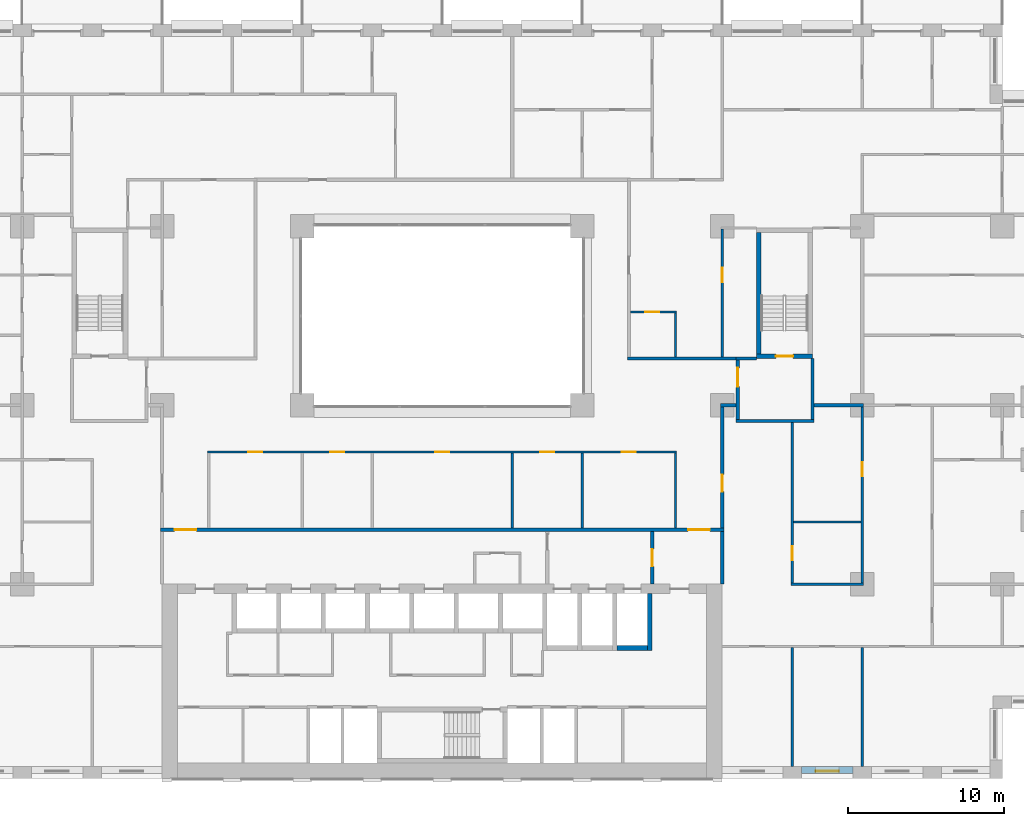
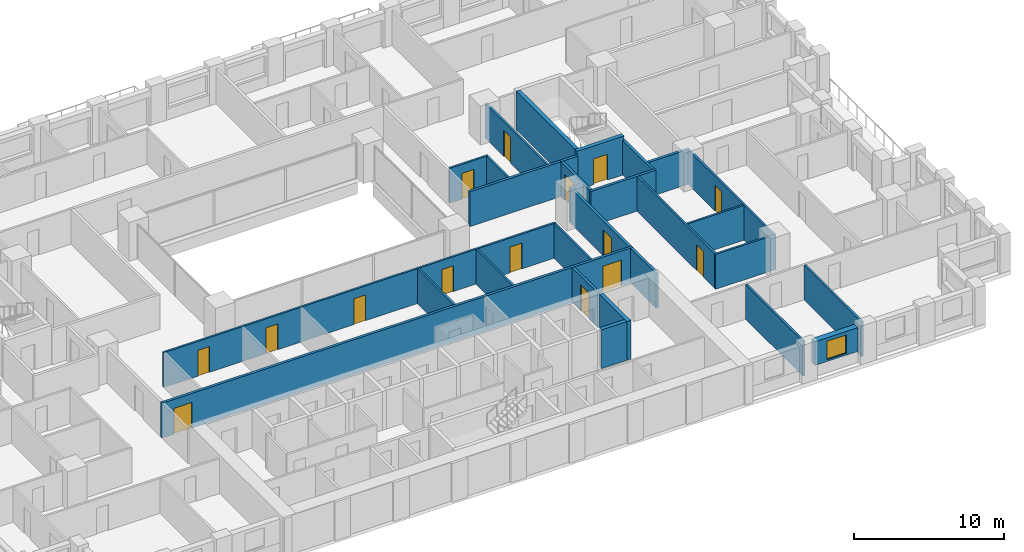
# One storey, part 12 of 20: 29 walls, 15 doors, 1 window, 16 openings.
"""IFC4 building model written with IfcOpenShell, lengths in metres."""

from ifc_helpers import new_model, si_unit, direction, frame, frame_2d, origin, place, context, subcontext, project, spatial, rectangle, extrude, material, layer, layer_set, type_object, element, fill, save


model = new_model("IFC4")

# Units and contexts
model_context = context("Model", 3, precision=1e-05, world=origin(), true_north=direction((0.0, 1.0)))
body_context = subcontext(model_context, "Body", "Model", "MODEL_VIEW")
ifc_project = project(units=[si_unit("LENGTHUNIT", "METRE"), si_unit("AREAUNIT", "SQUARE_METRE"), si_unit("VOLUMEUNIT", "CUBIC_METRE"), si_unit("PLANEANGLEUNIT", "RADIAN"), si_unit("MASSUNIT", "GRAM", prefix="KILO")], contexts=[model_context])

# Site, building, storey
site_placement = place(None, origin())
site = spatial("IfcSite", under=ifc_project, at=site_placement, CompositionType="ELEMENT")
building_placement = place(site_placement, origin())
building = spatial("IfcBuilding", under=site, at=building_placement, Name="Brigalow Station Residences", CompositionType="ELEMENT")
storey_placement = place(building_placement, frame((0.0, 0.0, 38.39990234375)))
storey = spatial("IfcBuildingStorey", under=building, at=storey_placement, Name="L10", CompositionType="ELEMENT", Elevation=38.39990234375)

# Wall, opening, window
ifc_material_1 = material(Name="Clay brick masonry", Category="masonry")
ifc_layer_1 = layer(ifc_material_1, 0.449951171875)
ifc_layer_set_1 = layer_set([ifc_layer_1], Name="BRICK INFILL WALL 450")
wall_type_1 = type_object("IfcWallType", Name="BRICK INFILL WALL 450", PredefinedType="SOLIDWALL", material=ifc_layer_set_1)
wall_1_placement = place(storey_placement, frame((59.10009765625, 0.574951171875, 0.900146484375), z_axis=(0.0, 0.0, 1.0), x_axis=(1.0, 0.0, 0.0)))
wall_1 = element("IfcWall", 1, at=wall_1_placement, inside=storey, type_object=wall_type_1, Name="L10/ewall/W-L10-6", PredefinedType="SOLIDWALL", context=body_context, shape_type="SweptSolid", body=[
    extrude(rectangle(XDim=3.2998046875, YDim=0.449951171875, at=frame_2d((1.64990234375, 0.0))), origin(), (0.0, 0.0, 1.0), 1.929931640625),
])
opening_1_placement = place(wall_1_placement, frame((0.89990234375, 0.0, 0.14990234375)))
opening_1 = element("IfcOpeningElement", 2, at=opening_1_placement, cuts=wall_1, Name="Opening WT-1", PredefinedType="OPENING", context=body_context, shape_type="SweptSolid", body=[
    extrude(rectangle(XDim=1.5, YDim=1.5, at=frame_2d((0.75, 0.75))), frame((0.0, 0.23486328125, 0.0), z_axis=(0.0, -1.0, 0.0), x_axis=(1.0, 0.0, 0.0)), (0.0, 0.0, 1.0), 0.469970703125),
])
ifc_material_2 = material(Name="Anodised aluminium frame with double glazing", Category="aluminium")
window_type = type_object("IfcWindowType", Name="WINDOW 1500x1500", PartitioningType="SINGLE_PANEL", PredefinedType="WINDOW", material=ifc_material_2)
window_placement = place(opening_1_placement, origin())
window = element("IfcWindow", 3, at=window_placement, inside=storey, type_object=window_type, Name="L10/window/W-L10-6", OverallHeight=1.5, OverallWidth=1.5, PartitioningType="SINGLE_PANEL", PredefinedType="WINDOW", context=body_context, shape_type="SweptSolid", body=[
    extrude(rectangle(XDim=1.5, YDim=1.5, at=frame_2d((0.75, 0.75))), frame((0.0, -0.06494140625, 0.0), z_axis=(0.0, -1.0, 0.0), x_axis=(1.0, 0.0, 0.0)), (0.0, 0.0, 1.0), 0.06005859375),
])
fill(opening_1, window)

# Walls
ifc_material_3 = material(Name="Concrete C80", Category="concrete")
ifc_layer_2 = layer(ifc_material_3, 0.300048828125)
ifc_layer_set_2 = layer_set([ifc_layer_2], Name="CORE SHEAR WALL 300 C80")
wall_type_2 = type_object("IfcWallType", Name="CORE SHEAR WALL 300 C80", PredefinedType="SHEAR", material=ifc_layer_set_2)
wall_2_placement = place(storey_placement, frame((47.25, 8.39990234375, 0.0), z_axis=(0.0, 0.0, 1.0), x_axis=(1.0, 0.0, 0.0)))
element("IfcWall", 4, at=wall_2_placement, inside=storey, type_object=wall_type_2, Name="CORE WALL SH-SL1-S L10", PredefinedType="SHEAR", context=body_context, shape_type="SweptSolid", body=[
    extrude(rectangle(XDim=1.949951171875, YDim=0.300048828125, at=frame_2d((0.97509765625, 0.0))), origin(), (0.0, 0.0, 1.0), 3.150146484375),
])
wall_3_placement = place(storey_placement, frame((49.35009765625, 8.25, 0.0), z_axis=(0.0, 0.0, 1.0), x_axis=(0.0, 1.0, 0.0)))
element("IfcWall", 5, at=wall_3_placement, inside=storey, type_object=wall_type_2, Name="CORE WALL SH-SL1-E L10", PredefinedType="SHEAR", context=body_context, shape_type="SweptSolid", body=[
    extrude(rectangle(XDim=3.64990234375, YDim=0.300048828125, at=frame_2d((1.824951171875, 0.0))), origin(), (0.0, 0.0, 1.0), 3.150146484375),
])

# Wall, opening, door
wall_4_placement = place(storey_placement, frame((56.199951171875, 27.14990234375, 0.0), z_axis=(0.0, 0.0, 1.0), x_axis=(1.0, 0.0, 0.0)))
wall_4 = element("IfcWall", 6, at=wall_4_placement, inside=storey, type_object=wall_type_2, Name="CORE WALL ST-S3-S L10", PredefinedType="SHEAR", context=body_context, shape_type="SweptSolid", body=[
    extrude(rectangle(XDim=3.60009765625, YDim=0.300048828125, at=frame_2d((1.800048828125, 0.0))), origin(), (0.0, 0.0, 1.0), 3.150146484375),
])
opening_2_placement = place(wall_4_placement, frame((1.25, 0.0, 0.0)))
opening_2 = element("IfcOpeningElement", 7, at=opening_2_placement, cuts=wall_4, Name="Opening D-5018", PredefinedType="OPENING", context=body_context, shape_type="SweptSolid", body=[
    extrude(rectangle(XDim=1.10009765625, YDim=2.10009765625, at=frame_2d((0.550048828125, 1.050048828125))), frame((0.0, 0.16015625, 0.0), z_axis=(0.0, -1.0, 0.0), x_axis=(1.0, 0.0, 0.0)), (0.0, 0.0, 1.0), 0.320068359375),
])
ifc_material_4 = material(Name="Steel fire door leaf in steel frame", Category="steel")
door_type_1 = type_object("IfcDoorType", Name="STAIR DOOR 1100 x 2100 FD60S", OperationType="SINGLE_SWING_LEFT", PredefinedType="DOOR", material=ifc_material_4)
door_1_placement = place(opening_2_placement, origin())
door_1 = element("IfcDoor", 8, at=door_1_placement, inside=storey, type_object=door_type_1, Name="D-5018", OperationType="SINGLE_SWING_LEFT", OverallHeight=2.10009765625, OverallWidth=1.10009765625, PredefinedType="DOOR", context=body_context, shape_type="SweptSolid", body=[
    extrude(rectangle(XDim=1.10009765625, YDim=2.10009765625, at=frame_2d((0.550048828125, 1.050048828125))), frame((0.0, 0.02490234375, 0.0), z_axis=(0.0, -1.0, 0.0), x_axis=(1.0, 0.0, 0.0)), (0.0, 0.0, 1.0), 0.050048828125),
])
fill(opening_2, door_1)

# Walls
wall_5_placement = place(storey_placement, frame((56.35009765625, 27.300048828125, 0.0), z_axis=(0.0, 0.0, 1.0), x_axis=(0.0, 1.0, 0.0)))
element("IfcWall", 9, at=wall_5_placement, inside=storey, type_object=wall_type_2, Name="CORE WALL ST-S3-W L10", PredefinedType="SHEAR", context=body_context, shape_type="SweptSolid", body=[
    extrude(rectangle(XDim=7.800048828125, YDim=0.300048828125, at=frame_2d((3.89990234375, 0.0))), origin(), (0.0, 0.0, 1.0), 3.150146484375),
])
ifc_material_5 = material(Name="Concrete blockwork", Category="masonry")
ifc_layer_3 = layer(ifc_material_5, 0.199951171875)
ifc_layer_set_3 = layer_set([ifc_layer_3], Name="FIRE RATED CORE PARTITION 200")
wall_type_3 = type_object("IfcWallType", Name="FIRE RATED CORE PARTITION 200", PredefinedType="PARTITIONING", material=ifc_layer_set_3)
wall_6_placement = place(storey_placement, frame((54.89990234375, 23.0, 0.0), z_axis=(0.0, 0.0, 1.0), x_axis=(1.0, 0.0, 0.0)))
element("IfcWall", 10, at=wall_6_placement, inside=storey, type_object=wall_type_3, Name="PW-5024", PredefinedType="PARTITIONING", context=body_context, shape_type="SweptSolid", body=[
    extrude(rectangle(XDim=5.0, YDim=0.199951171875, at=frame_2d((2.5, 0.0))), origin(), (0.0, 0.0, 1.0), 2.830078125),
])
wall_7_placement = place(storey_placement, frame((54.89990234375, 27.0, 0.0), z_axis=(0.0, 0.0, 1.0), x_axis=(1.0, 0.0, 0.0)))
element("IfcWall", 11, at=wall_7_placement, inside=storey, type_object=wall_type_3, Name="PW-5026", PredefinedType="PARTITIONING", context=body_context, shape_type="SweptSolid", body=[
    extrude(rectangle(XDim=1.300048828125, YDim=0.199951171875, at=frame_2d((0.64990234375, 0.0))), origin(), (0.0, 0.0, 1.0), 2.830078125),
])

# Wall, opening, door
wall_8_placement = place(storey_placement, frame((49.5, 12.5, 0.0), z_axis=(0.0, 0.0, 1.0), x_axis=(0.0, 1.0, 0.0)))
wall_8 = element("IfcWall", 12, at=wall_8_placement, inside=storey, type_object=wall_type_3, Name="PW-5015", PredefinedType="PARTITIONING", context=body_context, shape_type="SweptSolid", body=[
    extrude(rectangle(XDim=3.39990234375, YDim=0.199951171875, at=frame_2d((1.699951171875, 0.0))), origin(), (0.0, 0.0, 1.0), 2.830078125),
])
opening_3_placement = place(wall_8_placement, frame((1.14990234375, 0.0, 0.0)))
opening_3 = element("IfcOpeningElement", 13, at=opening_3_placement, cuts=wall_8, Name="Opening D-5014", PredefinedType="OPENING", context=body_context, shape_type="SweptSolid", body=[
    extrude(rectangle(XDim=1.10009765625, YDim=2.10009765625, at=frame_2d((0.550048828125, 1.050048828125))), frame((0.0, 0.10986328125, 0.0), z_axis=(0.0, -1.0, 0.0), x_axis=(1.0, 0.0, 0.0)), (0.0, 0.0, 1.0), 0.219970703125),
])
ifc_material_6 = material(Name="Steel fire door leaf in steel frame", Category="steel")
door_type_2 = type_object("IfcDoorType", Name="LOBBY DOOR 1100 x 2100 FD60S", OperationType="SINGLE_SWING_LEFT", PredefinedType="DOOR", material=ifc_material_6)
door_2_placement = place(opening_3_placement, origin())
door_2 = element("IfcDoor", 14, at=door_2_placement, inside=storey, type_object=door_type_2, Name="D-5014", OperationType="SINGLE_SWING_LEFT", OverallHeight=2.10009765625, OverallWidth=1.10009765625, PredefinedType="DOOR", context=body_context, shape_type="SweptSolid", body=[
    extrude(rectangle(XDim=1.10009765625, YDim=2.10009765625, at=frame_2d((0.550048828125, 1.050048828125))), frame((0.0, 0.02490234375, 0.0), z_axis=(0.0, -1.0, 0.0), x_axis=(1.0, 0.0, 0.0)), (0.0, 0.0, 1.0), 0.050048828125),
])
fill(opening_3, door_2)

# Wall
wall_9_placement = place(storey_placement, frame((54.0, 12.5, 0.0), z_axis=(0.0, 0.0, 1.0), x_axis=(0.0, 1.0, 0.0)))
element("IfcWall", 15, at=wall_9_placement, inside=storey, type_object=wall_type_3, Name="PW-5016", PredefinedType="PARTITIONING", context=body_context, shape_type="SweptSolid", body=[
    extrude(rectangle(XDim=3.39990234375, YDim=0.199951171875, at=frame_2d((1.699951171875, 0.0))), origin(), (0.0, 0.0, 1.0), 2.830078125),
])

# Wall, opening, door
wall_10_placement = place(storey_placement, frame((55.0, 23.10009765625, 0.0), z_axis=(0.0, 0.0, 1.0), x_axis=(0.0, 1.0, 0.0)))
wall_10 = element("IfcWall", 16, at=wall_10_placement, inside=storey, type_object=wall_type_3, Name="PW-5036", PredefinedType="PARTITIONING", context=body_context, shape_type="SweptSolid", body=[
    extrude(rectangle(XDim=3.7998046875, YDim=0.199951171875, at=frame_2d((1.89990234375, 0.0))), origin(), (0.0, 0.0, 1.0), 2.830078125),
])
opening_4_placement = place(wall_10_placement, frame((2.10009765625, 0.0, 0.0)))
opening_4 = element("IfcOpeningElement", 17, at=opening_4_placement, cuts=wall_10, Name="Opening D-5019", PredefinedType="OPENING", context=body_context, shape_type="SweptSolid", body=[
    extrude(rectangle(XDim=1.199951171875, YDim=2.10009765625, at=frame_2d((0.60009765625, 1.050048828125))), frame((0.0, 0.10986328125, 0.0), z_axis=(0.0, -1.0, 0.0), x_axis=(1.0, 0.0, 0.0)), (0.0, 0.0, 1.0), 0.219970703125),
])
ifc_material_7 = material(Name="Steel fire door leaf in steel frame", Category="steel")
door_type_3 = type_object("IfcDoorType", Name="STAIR LOBBY DOOR 1200 x 2100 FD60S", OperationType="SINGLE_SWING_LEFT", PredefinedType="DOOR", material=ifc_material_7)
door_3_placement = place(opening_4_placement, frame((1.199951171875, 0.0, 0.0), z_axis=(0.0, 0.0, 1.0), x_axis=(-1.0, 0.0, 0.0)))
door_3 = element("IfcDoor", 18, at=door_3_placement, inside=storey, type_object=door_type_3, Name="D-5019", OperationType="SINGLE_SWING_LEFT", OverallHeight=2.10009765625, OverallWidth=1.199951171875, PredefinedType="DOOR", context=body_context, shape_type="SweptSolid", body=[
    extrude(rectangle(XDim=1.199951171875, YDim=2.10009765625, at=frame_2d((0.60009765625, 1.050048828125))), frame((0.0, 0.02490234375, 0.0), z_axis=(0.0, -1.0, 0.0), x_axis=(1.0, 0.0, 0.0)), (0.0, 0.0, 1.0), 0.050048828125),
])
fill(opening_4, door_3)

# Wall
wall_11_placement = place(storey_placement, frame((59.800048828125, 23.10009765625, 0.0), z_axis=(0.0, 0.0, 1.0), x_axis=(0.0, 1.0, 0.0)))
element("IfcWall", 19, at=wall_11_placement, inside=storey, type_object=wall_type_3, Name="PW-5037", PredefinedType="PARTITIONING", context=body_context, shape_type="SweptSolid", body=[
    extrude(rectangle(XDim=3.89990234375, YDim=0.199951171875, at=frame_2d((1.949951171875, 0.0))), origin(), (0.0, 0.0, 1.0), 2.830078125),
])

# Wall, openings, doors
ifc_material_8 = material(Name="Plasterboard on steel stud partition", Category="steel")
ifc_layer_4 = layer(ifc_material_8, 0.14990234375)
ifc_layer_set_4 = layer_set([ifc_layer_4], Name="FLAT PARTITION 150")
wall_type_4 = type_object("IfcWallType", Name="FLAT PARTITION 150", PredefinedType="PARTITIONING", material=ifc_layer_set_4)
wall_12_placement = place(storey_placement, frame((20.925048828125, 21.0, 0.0), z_axis=(0.0, 0.0, 1.0), x_axis=(1.0, 0.0, 0.0)))
wall_12 = element("IfcWall", 20, at=wall_12_placement, inside=storey, type_object=wall_type_4, Name="PW-1C01", PredefinedType="PARTITIONING", context=body_context, shape_type="SweptSolid", body=[
    extrude(rectangle(XDim=30.14990234375, YDim=0.14990234375, at=frame_2d((15.074951171875, 0.0))), origin(), (0.0, 0.0, 1.0), 2.830078125),
])
opening_5_placement = place(wall_12_placement, frame((2.625, 0.0, 0.0)))
opening_5 = element("IfcOpeningElement", 21, at=opening_5_placement, cuts=wall_12, Name="Opening D-1C64", PredefinedType="OPENING", context=body_context, shape_type="SweptSolid", body=[
    extrude(rectangle(XDim=0.89990234375, YDim=2.10009765625, at=frame_2d((0.449951171875, 1.050048828125))), frame((0.0, 0.0849609375, 0.0), z_axis=(0.0, -1.0, 0.0), x_axis=(1.0, 0.0, 0.0)), (0.0, 0.0, 1.0), 0.169921875),
])
opening_6_placement = place(wall_12_placement, frame((7.875, 0.0, 0.0)))
opening_6 = element("IfcOpeningElement", 22, at=opening_6_placement, cuts=wall_12, Name="Opening D-1C65", PredefinedType="OPENING", context=body_context, shape_type="SweptSolid", body=[
    extrude(rectangle(XDim=0.89990234375, YDim=2.10009765625, at=frame_2d((0.449951171875, 1.050048828125))), frame((0.0, 0.0849609375, 0.0), z_axis=(0.0, -1.0, 0.0), x_axis=(1.0, 0.0, 0.0)), (0.0, 0.0, 1.0), 0.169921875),
])
opening_7_placement = place(wall_12_placement, frame((14.625, 0.0, 0.0)))
opening_7 = element("IfcOpeningElement", 23, at=opening_7_placement, cuts=wall_12, Name="Opening D-1C66", PredefinedType="OPENING", context=body_context, shape_type="SweptSolid", body=[
    extrude(rectangle(XDim=0.89990234375, YDim=2.10009765625, at=frame_2d((0.449951171875, 1.050048828125))), frame((0.0, 0.0849609375, 0.0), z_axis=(0.0, -1.0, 0.0), x_axis=(1.0, 0.0, 0.0)), (0.0, 0.0, 1.0), 0.169921875),
])
opening_8_placement = place(wall_12_placement, frame((21.375, 0.0, 0.0)))
opening_8 = element("IfcOpeningElement", 24, at=opening_8_placement, cuts=wall_12, Name="Opening D-1C67", PredefinedType="OPENING", context=body_context, shape_type="SweptSolid", body=[
    extrude(rectangle(XDim=0.89990234375, YDim=2.10009765625, at=frame_2d((0.449951171875, 1.050048828125))), frame((0.0, 0.0849609375, 0.0), z_axis=(0.0, -1.0, 0.0), x_axis=(1.0, 0.0, 0.0)), (0.0, 0.0, 1.0), 0.169921875),
])
opening_9_placement = place(wall_12_placement, frame((26.625, 0.0, 0.0)))
opening_9 = element("IfcOpeningElement", 25, at=opening_9_placement, cuts=wall_12, Name="Opening D-1C68", PredefinedType="OPENING", context=body_context, shape_type="SweptSolid", body=[
    extrude(rectangle(XDim=0.89990234375, YDim=2.10009765625, at=frame_2d((0.449951171875, 1.050048828125))), frame((0.0, 0.0849609375, 0.0), z_axis=(0.0, -1.0, 0.0), x_axis=(1.0, 0.0, 0.0)), (0.0, 0.0, 1.0), 0.169921875),
])
ifc_material_9 = material(Name="Solid-core timber door leaf", Category="wood")
door_type_4 = type_object("IfcDoorType", Name="INTERNAL DOOR 900 x 2100", OperationType="SINGLE_SWING_LEFT", PredefinedType="DOOR", material=ifc_material_9)
door_4_placement = place(opening_5_placement, frame((0.89990234375, 0.0, 0.0), z_axis=(0.0, 0.0, 1.0), x_axis=(-1.0, 0.0, 0.0)))
door_4 = element("IfcDoor", 26, at=door_4_placement, inside=storey, type_object=door_type_4, Name="D-1C64", OperationType="SINGLE_SWING_LEFT", OverallHeight=2.10009765625, OverallWidth=0.89990234375, PredefinedType="DOOR", context=body_context, shape_type="SweptSolid", body=[
    extrude(rectangle(XDim=0.89990234375, YDim=2.10009765625, at=frame_2d((0.449951171875, 1.050048828125))), frame((0.0, 0.02490234375, 0.0), z_axis=(0.0, -1.0, 0.0), x_axis=(1.0, 0.0, 0.0)), (0.0, 0.0, 1.0), 0.050048828125),
])
fill(opening_5, door_4)
door_5_placement = place(opening_6_placement, frame((0.89990234375, 0.0, 0.0), z_axis=(0.0, 0.0, 1.0), x_axis=(-1.0, 0.0, 0.0)))
door_5 = element("IfcDoor", 27, at=door_5_placement, inside=storey, type_object=door_type_4, Name="D-1C65", OperationType="SINGLE_SWING_RIGHT", OverallHeight=2.10009765625, OverallWidth=0.89990234375, PredefinedType="DOOR", context=body_context, shape_type="SweptSolid", body=[
    extrude(rectangle(XDim=0.89990234375, YDim=2.10009765625, at=frame_2d((0.449951171875, 1.050048828125))), frame((0.0, 0.02490234375, 0.0), z_axis=(0.0, -1.0, 0.0), x_axis=(1.0, 0.0, 0.0)), (0.0, 0.0, 1.0), 0.050048828125),
])
fill(opening_6, door_5)
door_6_placement = place(opening_7_placement, frame((0.89990234375, 0.0, 0.0), z_axis=(0.0, 0.0, 1.0), x_axis=(-1.0, 0.0, 0.0)))
door_6 = element("IfcDoor", 28, at=door_6_placement, inside=storey, type_object=door_type_4, Name="D-1C66", OperationType="SINGLE_SWING_LEFT", OverallHeight=2.10009765625, OverallWidth=0.89990234375, PredefinedType="DOOR", context=body_context, shape_type="SweptSolid", body=[
    extrude(rectangle(XDim=0.89990234375, YDim=2.10009765625, at=frame_2d((0.449951171875, 1.050048828125))), frame((0.0, 0.02490234375, 0.0), z_axis=(0.0, -1.0, 0.0), x_axis=(1.0, 0.0, 0.0)), (0.0, 0.0, 1.0), 0.050048828125),
])
fill(opening_7, door_6)
door_7_placement = place(opening_8_placement, frame((0.89990234375, 0.0, 0.0), z_axis=(0.0, 0.0, 1.0), x_axis=(-1.0, 0.0, 0.0)))
door_7 = element("IfcDoor", 29, at=door_7_placement, inside=storey, type_object=door_type_4, Name="D-1C67", OperationType="SINGLE_SWING_LEFT", OverallHeight=2.10009765625, OverallWidth=0.89990234375, PredefinedType="DOOR", context=body_context, shape_type="SweptSolid", body=[
    extrude(rectangle(XDim=0.89990234375, YDim=2.10009765625, at=frame_2d((0.449951171875, 1.050048828125))), frame((0.0, 0.02490234375, 0.0), z_axis=(0.0, -1.0, 0.0), x_axis=(1.0, 0.0, 0.0)), (0.0, 0.0, 1.0), 0.050048828125),
])
fill(opening_8, door_7)
door_8_placement = place(opening_9_placement, frame((0.89990234375, 0.0, 0.0), z_axis=(0.0, 0.0, 1.0), x_axis=(-1.0, 0.0, 0.0)))
door_8 = element("IfcDoor", 30, at=door_8_placement, inside=storey, type_object=door_type_4, Name="D-1C68", OperationType="SINGLE_SWING_LEFT", OverallHeight=2.10009765625, OverallWidth=0.89990234375, PredefinedType="DOOR", context=body_context, shape_type="SweptSolid", body=[
    extrude(rectangle(XDim=0.89990234375, YDim=2.10009765625, at=frame_2d((0.449951171875, 1.050048828125))), frame((0.0, 0.02490234375, 0.0), z_axis=(0.0, -1.0, 0.0), x_axis=(1.0, 0.0, 0.0)), (0.0, 0.0, 1.0), 0.050048828125),
])
fill(opening_9, door_8)

# Walls
wall_13_placement = place(storey_placement, frame((58.425048828125, 12.5, 0.0), z_axis=(0.0, 0.0, 1.0), x_axis=(1.0, 0.0, 0.0)))
element("IfcWall", 31, at=wall_13_placement, inside=storey, type_object=wall_type_4, Name="PW-1C15", PredefinedType="PARTITIONING", context=body_context, shape_type="SweptSolid", body=[
    extrude(rectangle(XDim=4.64990234375, YDim=0.14990234375, at=frame_2d((2.324951171875, 0.0))), origin(), (0.0, 0.0, 1.0), 2.830078125),
])
wall_14_placement = place(storey_placement, frame((58.574951171875, 16.5, 0.0), z_axis=(0.0, 0.0, 1.0), x_axis=(1.0, 0.0, 0.0)))
element("IfcWall", 32, at=wall_14_placement, inside=storey, type_object=wall_type_4, Name="PW-1C22", PredefinedType="PARTITIONING", context=body_context, shape_type="SweptSolid", body=[
    extrude(rectangle(XDim=4.35009765625, YDim=0.14990234375, at=frame_2d((2.175048828125, 0.0))), origin(), (0.0, 0.0, 1.0), 2.830078125),
])

# Wall, opening, door
wall_15_placement = place(storey_placement, frame((48.10009765625, 30.0, 0.0), z_axis=(0.0, 0.0, 1.0), x_axis=(1.0, 0.0, 0.0)))
wall_15 = element("IfcWall", 33, at=wall_15_placement, inside=storey, type_object=wall_type_4, Name="PW-1C34", PredefinedType="PARTITIONING", context=body_context, shape_type="SweptSolid", body=[
    extrude(rectangle(XDim=2.974853515625, YDim=0.14990234375, at=frame_2d((1.4873046875, 0.0))), origin(), (0.0, 0.0, 1.0), 2.830078125),
])
opening_10_placement = place(wall_15_placement, frame((0.949951171875, 0.0, 0.0)))
opening_10 = element("IfcOpeningElement", 34, at=opening_10_placement, cuts=wall_15, Name="Opening D-1C43", PredefinedType="OPENING", context=body_context, shape_type="SweptSolid", body=[
    extrude(rectangle(XDim=0.89990234375, YDim=2.10009765625, at=frame_2d((0.449951171875, 1.050048828125))), frame((0.0, 0.0849609375, 0.0), z_axis=(0.0, -1.0, 0.0), x_axis=(1.0, 0.0, 0.0)), (0.0, 0.0, 1.0), 0.169921875),
])
door_9_placement = place(opening_10_placement, frame((0.89990234375, 0.0, 0.0), z_axis=(0.0, 0.0, 1.0), x_axis=(-1.0, 0.0, 0.0)))
door_9 = element("IfcDoor", 35, at=door_9_placement, inside=storey, type_object=door_type_4, Name="D-1C43", OperationType="SINGLE_SWING_RIGHT", OverallHeight=2.10009765625, OverallWidth=0.89990234375, PredefinedType="DOOR", context=body_context, shape_type="SweptSolid", body=[
    extrude(rectangle(XDim=0.89990234375, YDim=2.10009765625, at=frame_2d((0.449951171875, 1.050048828125))), frame((0.0, 0.02490234375, 0.0), z_axis=(0.0, -1.0, 0.0), x_axis=(1.0, 0.0, 0.0)), (0.0, 0.0, 1.0), 0.050048828125),
])
fill(opening_10, door_9)

wall_16_placement = place(storey_placement, frame((54.0, 27.10009765625, 0.0), z_axis=(0.0, 0.0, 1.0), x_axis=(0.0, 1.0, 0.0)))
wall_16 = element("IfcWall", 36, at=wall_16_placement, inside=storey, type_object=wall_type_4, Name="PW-1C41", PredefinedType="PARTITIONING", context=body_context, shape_type="SweptSolid", body=[
    extrude(rectangle(XDim=8.224853515625, YDim=0.14990234375, at=frame_2d((4.1123046875, 0.0))), origin(), (0.0, 0.0, 1.0), 2.830078125),
])
opening_11_placement = place(wall_16_placement, frame((4.824951171875, 0.0, 0.0)))
opening_11 = element("IfcOpeningElement", 37, at=opening_11_placement, cuts=wall_16, Name="Opening D-1C45", PredefinedType="OPENING", context=body_context, shape_type="SweptSolid", body=[
    extrude(rectangle(XDim=0.89990234375, YDim=2.10009765625, at=frame_2d((0.449951171875, 1.050048828125))), frame((0.0, 0.0849609375, 0.0), z_axis=(0.0, -1.0, 0.0), x_axis=(1.0, 0.0, 0.0)), (0.0, 0.0, 1.0), 0.169921875),
])
door_10_placement = place(opening_11_placement, frame((0.89990234375, 0.0, 0.0), z_axis=(0.0, 0.0, 1.0), x_axis=(-1.0, 0.0, 0.0)))
door_10 = element("IfcDoor", 38, at=door_10_placement, inside=storey, type_object=door_type_4, Name="D-1C45", OperationType="SINGLE_SWING_LEFT", OverallHeight=2.10009765625, OverallWidth=0.89990234375, PredefinedType="DOOR", context=body_context, shape_type="SweptSolid", body=[
    extrude(rectangle(XDim=0.89990234375, YDim=2.10009765625, at=frame_2d((0.449951171875, 1.050048828125))), frame((0.0, 0.02490234375, 0.0), z_axis=(0.0, -1.0, 0.0), x_axis=(1.0, 0.0, 0.0)), (0.0, 0.0, 1.0), 0.050048828125),
])
fill(opening_11, door_10)

# Walls
wall_17_placement = place(storey_placement, frame((51.0, 16.10009765625, 0.0), z_axis=(0.0, 0.0, 1.0), x_axis=(0.0, 1.0, 0.0)))
element("IfcWall", 39, at=wall_17_placement, inside=storey, type_object=wall_type_4, Name="PW-1C45", PredefinedType="PARTITIONING", context=body_context, shape_type="SweptSolid", body=[
    extrude(rectangle(XDim=4.824951171875, YDim=0.14990234375, at=frame_2d((2.41259765625, 0.0))), origin(), (0.0, 0.0, 1.0), 2.830078125),
])
wall_18_placement = place(storey_placement, frame((51.0, 27.10009765625, 0.0), z_axis=(0.0, 0.0, 1.0), x_axis=(0.0, 1.0, 0.0)))
element("IfcWall", 40, at=wall_18_placement, inside=storey, type_object=wall_type_4, Name="PW-1C46", PredefinedType="PARTITIONING", context=body_context, shape_type="SweptSolid", body=[
    extrude(rectangle(XDim=2.824951171875, YDim=0.14990234375, at=frame_2d((1.41259765625, 0.0))), origin(), (0.0, 0.0, 1.0), 2.830078125),
])
wall_19_placement = place(storey_placement, frame((40.5, 16.10009765625, 0.0), z_axis=(0.0, 0.0, 1.0), x_axis=(0.0, 1.0, 0.0)))
element("IfcWall", 41, at=wall_19_placement, inside=storey, type_object=wall_type_4, Name="PW-1C67", PredefinedType="PARTITIONING", context=body_context, shape_type="SweptSolid", body=[
    extrude(rectangle(XDim=4.824951171875, YDim=0.14990234375, at=frame_2d((2.41259765625, 0.0))), origin(), (0.0, 0.0, 1.0), 2.830078125),
])
wall_20_placement = place(storey_placement, frame((63.0, 0.800048828125, 0.0), z_axis=(0.0, 0.0, 1.0), x_axis=(0.0, 1.0, 0.0)))
element("IfcWall", 42, at=wall_20_placement, inside=storey, type_object=wall_type_4, Name="PW-1C69", PredefinedType="PARTITIONING", context=body_context, shape_type="SweptSolid", body=[
    extrude(rectangle(XDim=7.625, YDim=0.14990234375, at=frame_2d((3.8125, 0.0))), origin(), (0.0, 0.0, 1.0), 2.830078125),
])

# Wall, opening, door
wall_21_placement = place(storey_placement, frame((63.0, 12.574951171875, 0.0), z_axis=(0.0, 0.0, 1.0), x_axis=(0.0, 1.0, 0.0)))
wall_21 = element("IfcWall", 43, at=wall_21_placement, inside=storey, type_object=wall_type_4, Name="PW-1C70", PredefinedType="PARTITIONING", context=body_context, shape_type="SweptSolid", body=[
    extrude(rectangle(XDim=11.35009765625, YDim=0.14990234375, at=frame_2d((5.675048828125, 0.0))), origin(), (0.0, 0.0, 1.0), 2.830078125),
])
opening_12_placement = place(wall_21_placement, frame((6.85009765625, 0.0, 0.0)))
opening_12 = element("IfcOpeningElement", 44, at=opening_12_placement, cuts=wall_21, Name="Opening D-1C61", PredefinedType="OPENING", context=body_context, shape_type="SweptSolid", body=[
    extrude(rectangle(XDim=0.89990234375, YDim=2.10009765625, at=frame_2d((0.449951171875, 1.050048828125))), frame((0.0, 0.0849609375, 0.0), z_axis=(0.0, -1.0, 0.0), x_axis=(1.0, 0.0, 0.0)), (0.0, 0.0, 1.0), 0.169921875),
])
door_11_placement = place(opening_12_placement, origin())
door_11 = element("IfcDoor", 45, at=door_11_placement, inside=storey, type_object=door_type_4, Name="D-1C61", OperationType="SINGLE_SWING_LEFT", OverallHeight=2.10009765625, OverallWidth=0.89990234375, PredefinedType="DOOR", context=body_context, shape_type="SweptSolid", body=[
    extrude(rectangle(XDim=0.89990234375, YDim=2.10009765625, at=frame_2d((0.449951171875, 1.050048828125))), frame((0.0, 0.02490234375, 0.0), z_axis=(0.0, -1.0, 0.0), x_axis=(1.0, 0.0, 0.0)), (0.0, 0.0, 1.0), 0.050048828125),
])
fill(opening_12, door_11)

# Walls
wall_22_placement = place(storey_placement, frame((45.0, 16.10009765625, 0.0), z_axis=(0.0, 0.0, 1.0), x_axis=(0.0, 1.0, 0.0)))
element("IfcWall", 46, at=wall_22_placement, inside=storey, type_object=wall_type_4, Name="PW-1C81", PredefinedType="PARTITIONING", context=body_context, shape_type="SweptSolid", body=[
    extrude(rectangle(XDim=4.824951171875, YDim=0.14990234375, at=frame_2d((2.41259765625, 0.0))), origin(), (0.0, 0.0, 1.0), 2.830078125),
])
wall_23_placement = place(storey_placement, frame((58.5, 0.800048828125, 0.0), z_axis=(0.0, 0.0, 1.0), x_axis=(0.0, 1.0, 0.0)))
element("IfcWall", 47, at=wall_23_placement, inside=storey, type_object=wall_type_4, Name="PW-1C83", PredefinedType="PARTITIONING", context=body_context, shape_type="SweptSolid", body=[
    extrude(rectangle(XDim=7.625, YDim=0.14990234375, at=frame_2d((3.8125, 0.0))), origin(), (0.0, 0.0, 1.0), 2.830078125),
])

# Wall, opening, door
wall_24_placement = place(storey_placement, frame((58.5, 12.574951171875, 0.0), z_axis=(0.0, 0.0, 1.0), x_axis=(0.0, 1.0, 0.0)))
wall_24 = element("IfcWall", 48, at=wall_24_placement, inside=storey, type_object=wall_type_4, Name="PW-1C84", PredefinedType="PARTITIONING", context=body_context, shape_type="SweptSolid", body=[
    extrude(rectangle(XDim=10.324951171875, YDim=0.14990234375, at=frame_2d((5.16259765625, 0.0))), origin(), (0.0, 0.0, 1.0), 2.830078125),
])
opening_13_placement = place(wall_24_placement, frame((1.47509765625, 0.0, 0.0)))
opening_13 = element("IfcOpeningElement", 49, at=opening_13_placement, cuts=wall_24, Name="Opening D-1C50", PredefinedType="OPENING", context=body_context, shape_type="SweptSolid", body=[
    extrude(rectangle(XDim=0.89990234375, YDim=2.10009765625, at=frame_2d((0.449951171875, 1.050048828125))), frame((0.0, 0.0849609375, 0.0), z_axis=(0.0, -1.0, 0.0), x_axis=(1.0, 0.0, 0.0)), (0.0, 0.0, 1.0), 0.169921875),
])
door_12_placement = place(opening_13_placement, frame((0.89990234375, 0.0, 0.0), z_axis=(0.0, 0.0, 1.0), x_axis=(-1.0, 0.0, 0.0)))
door_12 = element("IfcDoor", 50, at=door_12_placement, inside=storey, type_object=door_type_4, Name="D-1C50", OperationType="SINGLE_SWING_RIGHT", OverallHeight=2.10009765625, OverallWidth=0.89990234375, PredefinedType="DOOR", context=body_context, shape_type="SweptSolid", body=[
    extrude(rectangle(XDim=0.89990234375, YDim=2.10009765625, at=frame_2d((0.449951171875, 1.050048828125))), frame((0.0, 0.02490234375, 0.0), z_axis=(0.0, -1.0, 0.0), x_axis=(1.0, 0.0, 0.0)), (0.0, 0.0, 1.0), 0.050048828125),
])
fill(opening_13, door_12)

# Walls
ifc_material_10 = material(Name="Plasterboard on steel stud partition", Category="steel")
ifc_layer_5 = layer(ifc_material_10, 0.199951171875)
ifc_layer_set_5 = layer_set([ifc_layer_5], Name="PARTY AND CORRIDOR WALL 200")
wall_type_5 = type_object("IfcWallType", Name="PARTY AND CORRIDOR WALL 200", PredefinedType="PARTITIONING", material=ifc_layer_set_5)
wall_25_placement = place(storey_placement, frame((53.89990234375, 24.0, 0.0), z_axis=(0.0, 0.0, 1.0), x_axis=(1.0, 0.0, 0.0)))
element("IfcWall", 51, at=wall_25_placement, inside=storey, type_object=wall_type_5, Name="PW-1C05", PredefinedType="PARTITIONING", context=body_context, shape_type="SweptSolid", body=[
    extrude(rectangle(XDim=1.0, YDim=0.199951171875, at=frame_2d((0.5, 0.0))), origin(), (0.0, 0.0, 1.0), 2.830078125),
])
wall_26_placement = place(storey_placement, frame((59.89990234375, 24.0, 0.0), z_axis=(0.0, 0.0, 1.0), x_axis=(1.0, 0.0, 0.0)))
element("IfcWall", 52, at=wall_26_placement, inside=storey, type_object=wall_type_5, Name="PW-1C06", PredefinedType="PARTITIONING", context=body_context, shape_type="SweptSolid", body=[
    extrude(rectangle(XDim=3.175048828125, YDim=0.199951171875, at=frame_2d((1.58740234375, 0.0))), origin(), (0.0, 0.0, 1.0), 2.830078125),
])
wall_27_placement = place(storey_placement, frame((47.89990234375, 27.0, 0.0), z_axis=(0.0, 0.0, 1.0), x_axis=(1.0, 0.0, 0.0)))
element("IfcWall", 53, at=wall_27_placement, inside=storey, type_object=wall_type_5, Name="PW-1C08", PredefinedType="PARTITIONING", context=body_context, shape_type="SweptSolid", body=[
    extrude(rectangle(XDim=7.0, YDim=0.199951171875, at=frame_2d((3.5, 0.0))), origin(), (0.0, 0.0, 1.0), 2.830078125),
])

# Wall, openings, doors
wall_28_placement = place(storey_placement, frame((17.89990234375, 16.0, 0.0), z_axis=(0.0, 0.0, 1.0), x_axis=(1.0, 0.0, 0.0)))
wall_28 = element("IfcWall", 54, at=wall_28_placement, inside=storey, type_object=wall_type_5, Name="PW-1C37", PredefinedType="PARTITIONING", context=body_context, shape_type="SweptSolid", body=[
    extrude(rectangle(XDim=36.2001953125, YDim=0.199951171875, at=frame_2d((18.10009765625, 0.0))), origin(), (0.0, 0.0, 1.0), 2.830078125),
])
opening_14_placement = place(wall_28_placement, frame((0.89990234375, 0.0, 0.0)))
opening_14 = element("IfcOpeningElement", 55, at=opening_14_placement, cuts=wall_28, Name="Opening D-1C01", PredefinedType="OPENING", context=body_context, shape_type="SweptSolid", body=[
    extrude(rectangle(XDim=1.39990234375, YDim=2.10009765625, at=frame_2d((0.699951171875, 1.050048828125))), frame((0.0, 0.10986328125, 0.0), z_axis=(0.0, -1.0, 0.0), x_axis=(1.0, 0.0, 0.0)), (0.0, 0.0, 1.0), 0.219970703125),
])
opening_15_placement = place(wall_28_placement, frame((33.89990234375, 0.0, 0.0)))
opening_15 = element("IfcOpeningElement", 56, at=opening_15_placement, cuts=wall_28, Name="Opening D-1C02", PredefinedType="OPENING", context=body_context, shape_type="SweptSolid", body=[
    extrude(rectangle(XDim=1.39990234375, YDim=2.10009765625, at=frame_2d((0.699951171875, 1.050048828125))), frame((0.0, 0.10986328125, 0.0), z_axis=(0.0, -1.0, 0.0), x_axis=(1.0, 0.0, 0.0)), (0.0, 0.0, 1.0), 0.219970703125),
])
ifc_material_11 = material(Name="Solid-core timber door leaf", Category="wood")
door_type_5 = type_object("IfcDoorType", Name="CORRIDOR FIRE DOOR 1400 x 2100 FRL -/60/30", OperationType="DOUBLE_DOOR_SINGLE_SWING", PredefinedType="DOOR", material=ifc_material_11)
door_13_placement = place(opening_14_placement, frame((1.39990234375, 0.0, 0.0), z_axis=(0.0, 0.0, 1.0), x_axis=(-1.0, 0.0, 0.0)))
door_13 = element("IfcDoor", 57, at=door_13_placement, inside=storey, type_object=door_type_5, Name="D-1C01", OperationType="DOUBLE_DOOR_SINGLE_SWING", OverallHeight=2.10009765625, OverallWidth=1.39990234375, PredefinedType="DOOR", context=body_context, shape_type="SweptSolid", body=[
    extrude(rectangle(XDim=1.39990234375, YDim=2.10009765625, at=frame_2d((0.699951171875, 1.050048828125))), frame((0.0, 0.02490234375, 0.0), z_axis=(0.0, -1.0, 0.0), x_axis=(1.0, 0.0, 0.0)), (0.0, 0.0, 1.0), 0.050048828125),
])
fill(opening_14, door_13)
door_14_placement = place(opening_15_placement, frame((1.39990234375, 0.0, 0.0), z_axis=(0.0, 0.0, 1.0), x_axis=(-1.0, 0.0, 0.0)))
door_14 = element("IfcDoor", 58, at=door_14_placement, inside=storey, type_object=door_type_5, Name="D-1C02", OperationType="DOUBLE_DOOR_SINGLE_SWING", OverallHeight=2.10009765625, OverallWidth=1.39990234375, PredefinedType="DOOR", context=body_context, shape_type="SweptSolid", body=[
    extrude(rectangle(XDim=1.39990234375, YDim=2.10009765625, at=frame_2d((0.699951171875, 1.050048828125))), frame((0.0, 0.02490234375, 0.0), z_axis=(0.0, -1.0, 0.0), x_axis=(1.0, 0.0, 0.0)), (0.0, 0.0, 1.0), 0.050048828125),
])
fill(opening_15, door_14)

# Wall, opening, door
wall_29_placement = place(storey_placement, frame((54.0, 16.10009765625, 0.0), z_axis=(0.0, 0.0, 1.0), x_axis=(0.0, 1.0, 0.0)))
wall_29 = element("IfcWall", 59, at=wall_29_placement, inside=storey, type_object=wall_type_5, Name="PW-1C43", PredefinedType="PARTITIONING", context=body_context, shape_type="SweptSolid", body=[
    extrude(rectangle(XDim=7.7998046875, YDim=0.199951171875, at=frame_2d((3.89990234375, 0.0))), origin(), (0.0, 0.0, 1.0), 2.830078125),
])
opening_16_placement = place(wall_29_placement, frame((2.35009765625, 0.0, 0.0)))
opening_16 = element("IfcOpeningElement", 60, at=opening_16_placement, cuts=wall_29, Name="Opening D-1C63", PredefinedType="OPENING", context=body_context, shape_type="SweptSolid", body=[
    extrude(rectangle(XDim=1.10009765625, YDim=2.10009765625, at=frame_2d((0.550048828125, 1.050048828125))), frame((0.0, 0.10986328125, 0.0), z_axis=(0.0, -1.0, 0.0), x_axis=(1.0, 0.0, 0.0)), (0.0, 0.0, 1.0), 0.219970703125),
])
ifc_material_12 = material(Name="Solid-core timber door leaf", Category="wood")
door_type_6 = type_object("IfcDoorType", Name="FLAT ENTRANCE DOOR 1100 x 2100 FRL -/60/30", OperationType="SINGLE_SWING_LEFT", PredefinedType="DOOR", material=ifc_material_12)
door_15_placement = place(opening_16_placement, frame((1.10009765625, 0.0, 0.0), z_axis=(0.0, 0.0, 1.0), x_axis=(-1.0, 0.0, 0.0)))
door_15 = element("IfcDoor", 61, at=door_15_placement, inside=storey, type_object=door_type_6, Name="D-1C63", OperationType="SINGLE_SWING_LEFT", OverallHeight=2.10009765625, OverallWidth=1.10009765625, PredefinedType="DOOR", context=body_context, shape_type="SweptSolid", body=[
    extrude(rectangle(XDim=1.10009765625, YDim=2.10009765625, at=frame_2d((0.550048828125, 1.050048828125))), frame((0.0, 0.02490234375, 0.0), z_axis=(0.0, -1.0, 0.0), x_axis=(1.0, 0.0, 0.0)), (0.0, 0.0, 1.0), 0.050048828125),
])
fill(opening_16, door_15)

save(model, "model.ifc")
